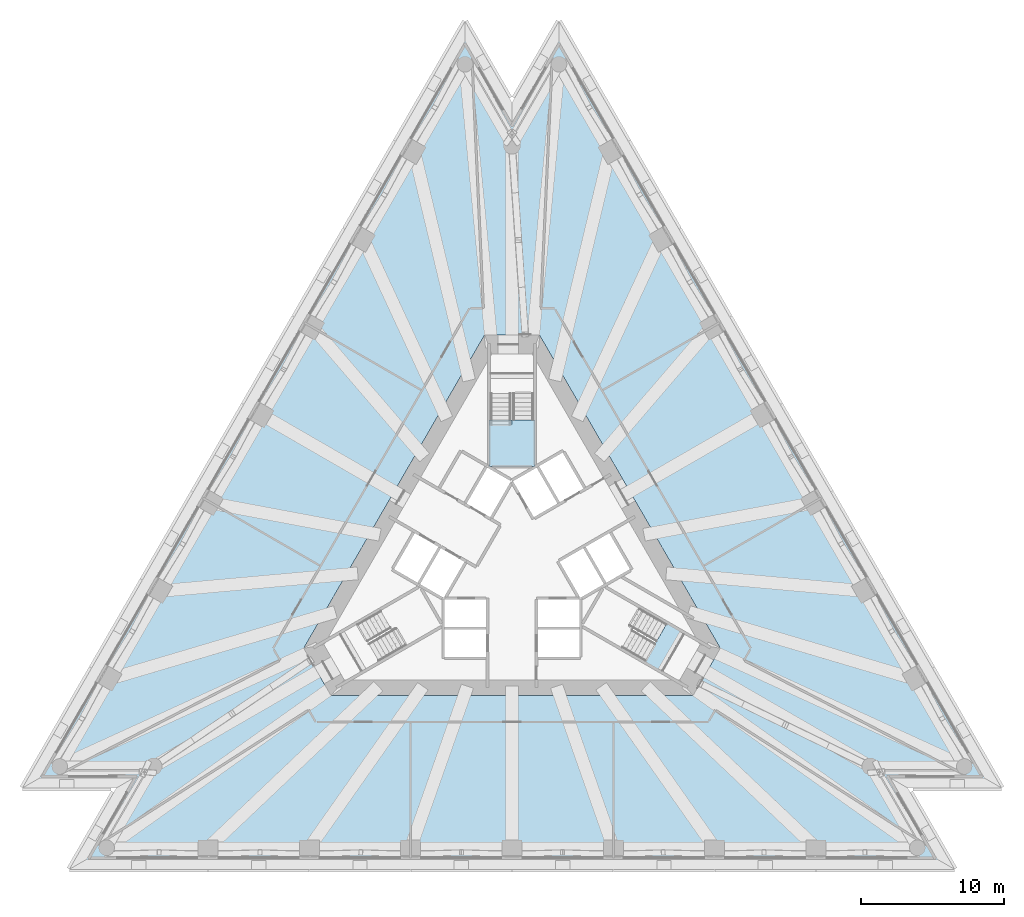
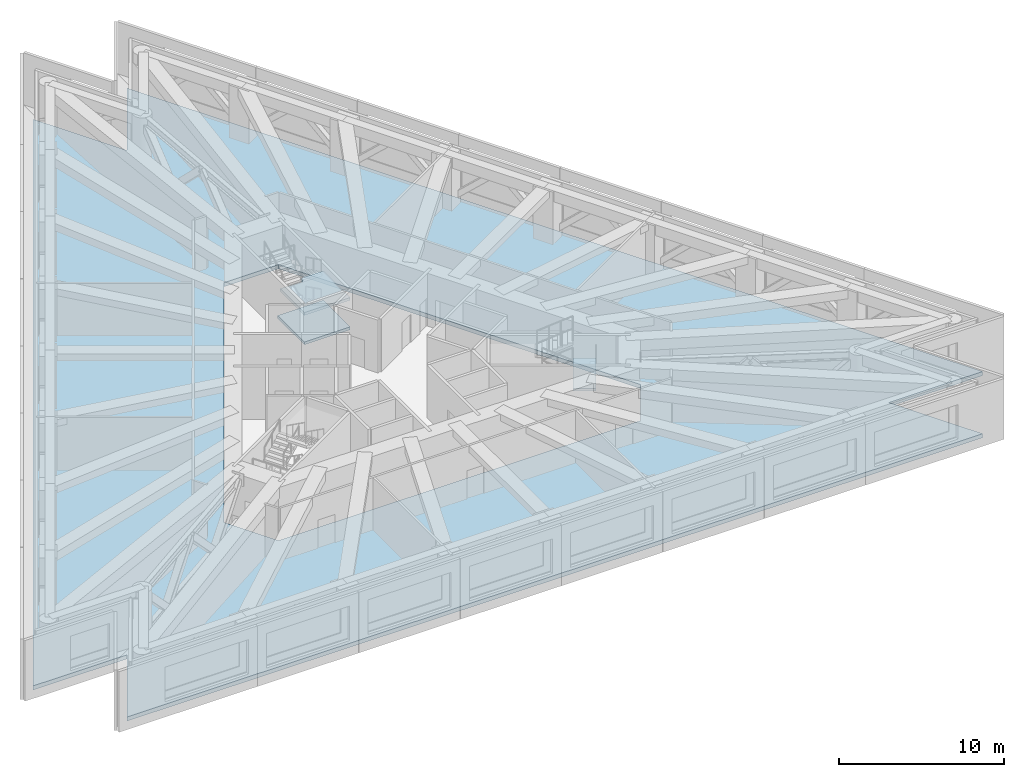
# One storey, part 5 of 13: 4 slabs, 2 elements without a shape of their own.
"""IFC4 building model written with IfcOpenShell, lengths in metres."""

from ifc_helpers import new_model, si_unit, direction, frame, origin, place, context, subcontext, project, spatial, polyline, outline, extrude, material, layer, layer_set, type_object, element, aggregate, save


model = new_model("IFC4")

# Units and contexts
model_context = context("Model", 3, precision=1e-05, world=origin(), true_north=direction((0.0, 1.0)))
body_context = subcontext(model_context, "Body", "Model", "MODEL_VIEW")
ifc_project = project(units=[si_unit("LENGTHUNIT", "METRE"), si_unit("AREAUNIT", "SQUARE_METRE"), si_unit("VOLUMEUNIT", "CUBIC_METRE"), si_unit("PLANEANGLEUNIT", "RADIAN"), si_unit("MASSUNIT", "GRAM", prefix="KILO")], contexts=[model_context])

# Site, building, storey
site_placement = place(None, origin())
site = spatial("IfcSite", under=ifc_project, at=site_placement, CompositionType="ELEMENT")
building_placement = place(site_placement, origin())
building = spatial("IfcBuilding", under=site, at=building_placement, Name="Triada Interchange Tower", CompositionType="ELEMENT")
storey_placement = place(building_placement, frame((0.0, 0.0, 95.300048828125)))
storey = spatial("IfcBuildingStorey", under=building, at=storey_placement, Name="L21", CompositionType="ELEMENT", Elevation=95.300048828125)

# Slab
ifc_material_1 = material(Name="Concrete C50/60", Category="concrete")
ifc_layer_1 = layer(ifc_material_1, 0.300048828125)
ifc_layer_set_1 = layer_set([ifc_layer_1], Name="Floor slab 300")
slab_type_1 = type_object("IfcSlabType", Name="Floor slab 300", PredefinedType="FLOOR", material=ifc_layer_set_1)
slab_1_placement = place(storey_placement, frame((0.0, 0.0, -0.300048828125)))
element("IfcSlab", 1, at=slab_1_placement, inside=storey, type_object=slab_type_1, Name="Floor slab L21", PredefinedType="FLOOR", context=body_context, shape_type="SweptSolid", body=[
    extrude(outline(polyline([(-3.279052734375, 36.39404296875), (-33.157958984375, -15.35693359375), (-26.59912109375, -15.35693359375), (-29.8779296875, -21.037109375), (29.8779296875, -21.037109375), (26.59912109375, -15.35693359375), (33.157958984375, -15.35693359375), (3.279052734375, 36.39404296875), (0.0, 30.714111328125), (-3.279052734375, 36.39404296875)]), holes=[polyline([(1.905029296875, 15.699951171875), (-1.905029296875, 15.699951171875), (-14.549072265625, -6.199951171875), (-12.64404296875, -9.5), (12.64404296875, -9.5), (14.549072265625, -6.199951171875), (1.905029296875, 15.699951171875)])]), origin(), (0.0, 0.0, 1.0), 0.300048828125),
])

# Stair, slabs
ifc_material_2 = material(Name="Concrete C35/45", Category="concrete")
stair_type = type_object("IfcStairType", Name="HALF TURN STAIR 1400", PredefinedType="HALF_TURN_STAIR", material=ifc_material_2)
stair_1_placement = place(storey_placement, origin())
stair_1 = element("IfcStair", 2, at=stair_1_placement, inside=storey, type_object=stair_type, Name="Exit stair S21-1", PredefinedType="HALF_TURN_STAIR")
ifc_layer_2 = layer(ifc_material_2, 0.199951171875)
ifc_layer_set_2 = layer_set([ifc_layer_2], Name="STAIR LANDING 200")
slab_type_2 = type_object("IfcSlabType", Name="STAIR LANDING 200", PredefinedType="LANDING", material=ifc_layer_set_2)
slab_2_placement = place(storey_placement, frame((0.0, 0.0, 0.88623046875)))
slab_2 = element("IfcSlab", 3, at=slab_2_placement, type_object=slab_type_2, Name="S21-1 landing 1", PredefinedType="LANDING", context=body_context, shape_type="SweptSolid", body=[
    extrude(outline(polyline([(1.60009765625, 6.5), (1.60009765625, 9.739990234375), (-1.60009765625, 9.739990234375), (-1.60009765625, 6.5), (1.60009765625, 6.5)])), origin(), (0.0, 0.0, 1.0), 0.199951171875),
])
slab_3_placement = place(storey_placement, frame((0.0, 0.0, 3.05859375)))
slab_3 = element("IfcSlab", 4, at=slab_3_placement, type_object=slab_type_2, Name="S21-1 landing 2", PredefinedType="LANDING", context=body_context, shape_type="SweptSolid", body=[
    extrude(outline(polyline([(1.60009765625, 6.5), (1.60009765625, 9.739990234375), (0.0, 9.739990234375), (0.0, 9.429931640625), (-1.60009765625, 9.429931640625), (-1.60009765625, 6.5), (1.60009765625, 6.5)])), origin(), (0.0, 0.0, 1.0), 0.199951171875),
])
aggregate(stair_1, [slab_2, slab_3])

# Stair, slab
stair_2_placement = place(storey_placement, origin())
stair_2 = element("IfcStair", 5, at=stair_2_placement, inside=storey, type_object=stair_type, Name="Exit stair S21-3", PredefinedType="HALF_TURN_STAIR")
slab_4_placement = place(storey_placement, frame((0.0, 0.0, 1.972412109375)))
slab_4 = element("IfcSlab", 6, at=slab_4_placement, type_object=slab_type_2, Name="S21-3 landing 3", PredefinedType="LANDING", context=body_context, shape_type="SweptSolid", body=[
    extrude(outline(polyline([(9.24609375, -7.18603515625), (10.4580078125, -7.885986328125), (12.05810546875, -5.114013671875), (10.845947265625, -4.4140625), (9.24609375, -7.18603515625)])), origin(), (0.0, 0.0, 1.0), 0.199951171875),
])
aggregate(stair_2, [slab_4])

save(model, "model.ifc")
